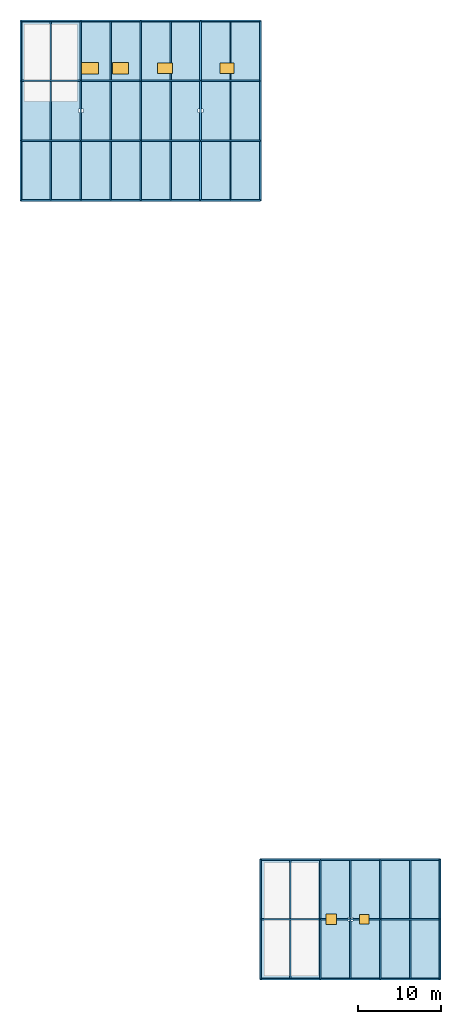
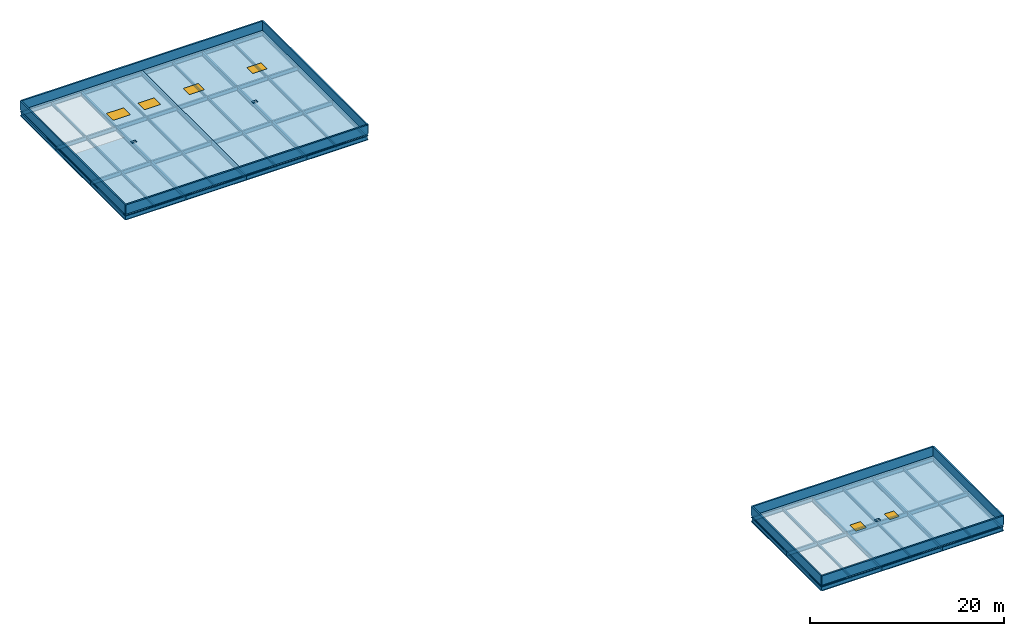
"""IFC4 building model written with IfcOpenShell, lengths in metres."""

from ifc_helpers import new_model, si_unit, direction, frame, frame_2d, origin, origin_2d, place, context, subcontext, project, spatial, polyline, rectangle, i_section, outline, extrude, material, layer, layer_set, material_profile, profile_set, type_object, element, fill, save


model = new_model("IFC4")

# Units and contexts
model_context = context("Model", 3, precision=1e-05, world=origin(), true_north=direction((0.0, 1.0)))
body_context = subcontext(model_context, "Body", "Model", "MODEL_VIEW")
ifc_project = project(units=[si_unit("LENGTHUNIT", "METRE"), si_unit("AREAUNIT", "SQUARE_METRE"), si_unit("VOLUMEUNIT", "CUBIC_METRE"), si_unit("PLANEANGLEUNIT", "RADIAN"), si_unit("MASSUNIT", "GRAM", prefix="KILO")], contexts=[model_context])

# Site, building, storey
site_placement = place(None, origin())
site = spatial("IfcSite", under=ifc_project, at=site_placement, CompositionType="ELEMENT")
building_placement = place(site_placement, origin())
building = spatial("IfcBuilding", under=site, at=building_placement, Name="Yarey Park Central Fire Station", CompositionType="ELEMENT")
storey_1_placement = place(building_placement, frame((0.0, 0.0, 26.39990234375)))
storey_1 = spatial("IfcBuildingStorey", under=building, at=storey_1_placement, Name="RF", CompositionType="ELEMENT", Elevation=26.39990234375)

# Beams
ifc_material_1 = material(Name="Steel ASTM A992 Gr. 50", Category="steel")
ifc_material_profile_1 = material_profile(ifc_material_1, i_section(OverallWidth=0.208984375, OverallDepth=0.532958984375, WebThickness=0.01025390625, FlangeThickness=0.015625, at=origin_2d()), Name="W530x92")
ifc_profile_set_1 = profile_set([ifc_material_profile_1], Name="Steel ASTM A992 Gr. 50")
beam_type_1 = type_object("IfcBeamType", Name="STR_BM_W530", PredefinedType="BEAM", material=ifc_profile_set_1)
for number, where, z_axis, x_axis, name in (
    (1, (144.0, 0.0, -0.476318359375), (1.0, 0.0, 0.0), (0.0, 1.0, 0.0), "BMX RF Y0 X1440"),
    (2, (151.199951171875, 0.0, -0.476318359375), (1.0, 0.0, 0.0), (0.0, 1.0, 0.0), "BMX RF Y0 X1512"),
):
    element("IfcBeam", number, at=place(storey_1_placement, frame(where, z_axis=z_axis, x_axis=x_axis)), inside=storey_1, type_object=beam_type_1, Name=name, PredefinedType="BEAM", context=body_context, shape_type="SweptSolid", body=[
        extrude(i_section(OverallWidth=0.208984375, OverallDepth=0.532958984375, WebThickness=0.01025390625, FlangeThickness=0.015625, at=origin_2d()), origin(), (0.0, 0.0, 1.0), 7.199951171875),
    ])
beam_1_placement = place(storey_1_placement, frame((158.39990234375, 0.0, -0.476318359375), z_axis=(1.0, 0.0, 0.0), x_axis=(0.0, 1.0, 0.0)))
element("IfcBeam", 3, at=beam_1_placement, inside=storey_1, type_object=beam_type_1, Name="BMX RF Y0 X1584", PredefinedType="BEAM", context=body_context, shape_type="SweptSolid", body=[
    extrude(i_section(OverallWidth=0.208984375, OverallDepth=0.532958984375, WebThickness=0.01025390625, FlangeThickness=0.015625, at=origin_2d()), origin(), (0.0, 0.0, 1.0), 7.2001953125),
])
for number, where, z_axis, x_axis, name in (
    (4, (144.0, 7.199951171875, -0.476318359375), (1.0, 0.0, 0.0), (0.0, 1.0, 0.0), "BMX RF Y72 X1440"),
    (5, (151.199951171875, 7.199951171875, -0.476318359375), (1.0, 0.0, 0.0), (0.0, 1.0, 0.0), "BMX RF Y72 X1512"),
):
    element("IfcBeam", number, at=place(storey_1_placement, frame(where, z_axis=z_axis, x_axis=x_axis)), inside=storey_1, type_object=beam_type_1, Name=name, PredefinedType="BEAM", context=body_context, shape_type="SweptSolid", body=[
        extrude(i_section(OverallWidth=0.208984375, OverallDepth=0.532958984375, WebThickness=0.01025390625, FlangeThickness=0.015625, at=origin_2d()), origin(), (0.0, 0.0, 1.0), 7.199951171875),
    ])
beam_2_placement = place(storey_1_placement, frame((158.39990234375, 7.199951171875, -0.476318359375), z_axis=(1.0, 0.0, 0.0), x_axis=(0.0, 1.0, 0.0)))
element("IfcBeam", 6, at=beam_2_placement, inside=storey_1, type_object=beam_type_1, Name="BMX RF Y72 X1584", PredefinedType="BEAM", context=body_context, shape_type="SweptSolid", body=[
    extrude(i_section(OverallWidth=0.208984375, OverallDepth=0.532958984375, WebThickness=0.01025390625, FlangeThickness=0.015625, at=origin_2d()), origin(), (0.0, 0.0, 1.0), 7.2001953125),
])
for number, where, z_axis, x_axis, name in (
    (7, (144.0, 14.39990234375, -0.476318359375), (1.0, 0.0, 0.0), (0.0, 1.0, 0.0), "BMX RF Y144 X1440"),
    (8, (151.199951171875, 14.39990234375, -0.476318359375), (1.0, 0.0, 0.0), (0.0, 1.0, 0.0), "BMX RF Y144 X1512"),
):
    element("IfcBeam", number, at=place(storey_1_placement, frame(where, z_axis=z_axis, x_axis=x_axis)), inside=storey_1, type_object=beam_type_1, Name=name, PredefinedType="BEAM", context=body_context, shape_type="SweptSolid", body=[
        extrude(i_section(OverallWidth=0.208984375, OverallDepth=0.532958984375, WebThickness=0.01025390625, FlangeThickness=0.015625, at=origin_2d()), origin(), (0.0, 0.0, 1.0), 7.199951171875),
    ])
beam_3_placement = place(storey_1_placement, frame((158.39990234375, 14.39990234375, -0.476318359375), z_axis=(1.0, 0.0, 0.0), x_axis=(0.0, 1.0, 0.0)))
element("IfcBeam", 9, at=beam_3_placement, inside=storey_1, type_object=beam_type_1, Name="BMX RF Y144 X1584", PredefinedType="BEAM", context=body_context, shape_type="SweptSolid", body=[
    extrude(i_section(OverallWidth=0.208984375, OverallDepth=0.532958984375, WebThickness=0.01025390625, FlangeThickness=0.015625, at=origin_2d()), origin(), (0.0, 0.0, 1.0), 7.2001953125),
])
beam_4_placement = place(storey_1_placement, frame((115.199951171875, 93.60009765625, -0.476318359375), z_axis=(1.0, 0.0, 0.0), x_axis=(0.0, 1.0, 0.0)))
element("IfcBeam", 10, at=beam_4_placement, inside=storey_1, type_object=beam_type_1, Name="BMX RF Y936 X1152", PredefinedType="BEAM", context=body_context, shape_type="SweptSolid", body=[
    extrude(i_section(OverallWidth=0.208984375, OverallDepth=0.532958984375, WebThickness=0.01025390625, FlangeThickness=0.015625, at=origin_2d()), origin(), (0.0, 0.0, 1.0), 7.199951171875),
])
beam_5_placement = place(storey_1_placement, frame((122.39990234375, 93.60009765625, -0.476318359375), z_axis=(1.0, 0.0, 0.0), x_axis=(0.0, 1.0, 0.0)))
element("IfcBeam", 11, at=beam_5_placement, inside=storey_1, type_object=beam_type_1, Name="BMX RF Y936 X1224", PredefinedType="BEAM", context=body_context, shape_type="SweptSolid", body=[
    extrude(i_section(OverallWidth=0.208984375, OverallDepth=0.532958984375, WebThickness=0.01025390625, FlangeThickness=0.015625, at=origin_2d()), origin(), (0.0, 0.0, 1.0), 7.2001953125),
])
for number, where, z_axis, x_axis, name in (
    (12, (129.60009765625, 93.60009765625, -0.476318359375), (1.0, 0.0, 0.0), (0.0, 1.0, 0.0), "BMX RF Y936 X1296"),
    (13, (136.800048828125, 93.60009765625, -0.476318359375), (1.0, 0.0, 0.0), (0.0, 1.0, 0.0), "BMX RF Y936 X1368"),
    (14, (115.199951171875, 100.800048828125, -0.476318359375), (1.0, 0.0, 0.0), (0.0, 1.0, 0.0), "BMX RF Y1008 X1152"),
):
    element("IfcBeam", number, at=place(storey_1_placement, frame(where, z_axis=z_axis, x_axis=x_axis)), inside=storey_1, type_object=beam_type_1, Name=name, PredefinedType="BEAM", context=body_context, shape_type="SweptSolid", body=[
        extrude(i_section(OverallWidth=0.208984375, OverallDepth=0.532958984375, WebThickness=0.01025390625, FlangeThickness=0.015625, at=origin_2d()), origin(), (0.0, 0.0, 1.0), 7.199951171875),
    ])
beam_6_placement = place(storey_1_placement, frame((122.39990234375, 100.800048828125, -0.476318359375), z_axis=(1.0, 0.0, 0.0), x_axis=(0.0, 1.0, 0.0)))
element("IfcBeam", 15, at=beam_6_placement, inside=storey_1, type_object=beam_type_1, Name="BMX RF Y1008 X1224", PredefinedType="BEAM", context=body_context, shape_type="SweptSolid", body=[
    extrude(i_section(OverallWidth=0.208984375, OverallDepth=0.532958984375, WebThickness=0.01025390625, FlangeThickness=0.015625, at=origin_2d()), origin(), (0.0, 0.0, 1.0), 7.2001953125),
])
for number, where, z_axis, x_axis, name in (
    (16, (129.60009765625, 100.800048828125, -0.476318359375), (1.0, 0.0, 0.0), (0.0, 1.0, 0.0), "BMX RF Y1008 X1296"),
    (17, (136.800048828125, 100.800048828125, -0.476318359375), (1.0, 0.0, 0.0), (0.0, 1.0, 0.0), "BMX RF Y1008 X1368"),
    (18, (115.199951171875, 108.0, -0.476318359375), (1.0, 0.0, 0.0), (0.0, 1.0, 0.0), "BMX RF Y1080 X1152"),
):
    element("IfcBeam", number, at=place(storey_1_placement, frame(where, z_axis=z_axis, x_axis=x_axis)), inside=storey_1, type_object=beam_type_1, Name=name, PredefinedType="BEAM", context=body_context, shape_type="SweptSolid", body=[
        extrude(i_section(OverallWidth=0.208984375, OverallDepth=0.532958984375, WebThickness=0.01025390625, FlangeThickness=0.015625, at=origin_2d()), origin(), (0.0, 0.0, 1.0), 7.199951171875),
    ])
beam_7_placement = place(storey_1_placement, frame((122.39990234375, 108.0, -0.476318359375), z_axis=(1.0, 0.0, 0.0), x_axis=(0.0, 1.0, 0.0)))
element("IfcBeam", 19, at=beam_7_placement, inside=storey_1, type_object=beam_type_1, Name="BMX RF Y1080 X1224", PredefinedType="BEAM", context=body_context, shape_type="SweptSolid", body=[
    extrude(i_section(OverallWidth=0.208984375, OverallDepth=0.532958984375, WebThickness=0.01025390625, FlangeThickness=0.015625, at=origin_2d()), origin(), (0.0, 0.0, 1.0), 7.2001953125),
])
for number, where, z_axis, x_axis, name in (
    (20, (129.60009765625, 108.0, -0.476318359375), (1.0, 0.0, 0.0), (0.0, 1.0, 0.0), "BMX RF Y1080 X1296"),
    (21, (136.800048828125, 108.0, -0.476318359375), (1.0, 0.0, 0.0), (0.0, 1.0, 0.0), "BMX RF Y1080 X1368"),
    (22, (115.199951171875, 115.199951171875, -0.476318359375), (1.0, 0.0, 0.0), (0.0, 1.0, 0.0), "BMX RF Y1152 X1152"),
):
    element("IfcBeam", number, at=place(storey_1_placement, frame(where, z_axis=z_axis, x_axis=x_axis)), inside=storey_1, type_object=beam_type_1, Name=name, PredefinedType="BEAM", context=body_context, shape_type="SweptSolid", body=[
        extrude(i_section(OverallWidth=0.208984375, OverallDepth=0.532958984375, WebThickness=0.01025390625, FlangeThickness=0.015625, at=origin_2d()), origin(), (0.0, 0.0, 1.0), 7.199951171875),
    ])
beam_8_placement = place(storey_1_placement, frame((122.39990234375, 115.199951171875, -0.476318359375), z_axis=(1.0, 0.0, 0.0), x_axis=(0.0, 1.0, 0.0)))
element("IfcBeam", 23, at=beam_8_placement, inside=storey_1, type_object=beam_type_1, Name="BMX RF Y1152 X1224", PredefinedType="BEAM", context=body_context, shape_type="SweptSolid", body=[
    extrude(i_section(OverallWidth=0.208984375, OverallDepth=0.532958984375, WebThickness=0.01025390625, FlangeThickness=0.015625, at=origin_2d()), origin(), (0.0, 0.0, 1.0), 7.2001953125),
])
for number, where, z_axis, x_axis, name in (
    (24, (129.60009765625, 115.199951171875, -0.476318359375), (1.0, 0.0, 0.0), (0.0, 1.0, 0.0), "BMX RF Y1152 X1296"),
    (25, (136.800048828125, 115.199951171875, -0.476318359375), (1.0, 0.0, 0.0), (0.0, 1.0, 0.0), "BMX RF Y1152 X1368"),
    (26, (115.199951171875, 93.60009765625, -0.476318359375), (0.0, 1.0, 0.0), (-1.0, 0.0, 0.0), "BMY RF X1152 Y936"),
    (27, (115.199951171875, 100.800048828125, -0.476318359375), (0.0, 1.0, 0.0), (-1.0, 0.0, 0.0), "BMY RF X1152 Y1008"),
    (28, (115.199951171875, 108.0, -0.476318359375), (0.0, 1.0, 0.0), (-1.0, 0.0, 0.0), "BMY RF X1152 Y1080"),
    (29, (122.39990234375, 93.60009765625, -0.476318359375), (0.0, 1.0, 0.0), (-1.0, 0.0, 0.0), "BMY RF X1224 Y936"),
    (30, (122.39990234375, 100.800048828125, -0.476318359375), (0.0, 1.0, 0.0), (-1.0, 0.0, 0.0), "BMY RF X1224 Y1008"),
    (31, (122.39990234375, 108.0, -0.476318359375), (0.0, 1.0, 0.0), (-1.0, 0.0, 0.0), "BMY RF X1224 Y1080"),
    (32, (129.60009765625, 93.60009765625, -0.476318359375), (0.0, 1.0, 0.0), (-1.0, 0.0, 0.0), "BMY RF X1296 Y936"),
    (33, (129.60009765625, 100.800048828125, -0.476318359375), (0.0, 1.0, 0.0), (-1.0, 0.0, 0.0), "BMY RF X1296 Y1008"),
    (34, (129.60009765625, 108.0, -0.476318359375), (0.0, 1.0, 0.0), (-1.0, 0.0, 0.0), "BMY RF X1296 Y1080"),
    (35, (136.800048828125, 93.60009765625, -0.476318359375), (0.0, 1.0, 0.0), (-1.0, 0.0, 0.0), "BMY RF X1368 Y936"),
    (36, (136.800048828125, 100.800048828125, -0.476318359375), (0.0, 1.0, 0.0), (-1.0, 0.0, 0.0), "BMY RF X1368 Y1008"),
    (37, (136.800048828125, 108.0, -0.476318359375), (0.0, 1.0, 0.0), (-1.0, 0.0, 0.0), "BMY RF X1368 Y1080"),
    (38, (144.0, 0.0, -0.476318359375), (0.0, 1.0, 0.0), (-1.0, 0.0, 0.0), "BMY RF X1440 Y0"),
    (39, (144.0, 7.199951171875, -0.476318359375), (0.0, 1.0, 0.0), (-1.0, 0.0, 0.0), "BMY RF X1440 Y72"),
    (40, (144.0, 93.60009765625, -0.476318359375), (0.0, 1.0, 0.0), (-1.0, 0.0, 0.0), "BMY RF X1440 Y936"),
    (41, (144.0, 100.800048828125, -0.476318359375), (0.0, 1.0, 0.0), (-1.0, 0.0, 0.0), "BMY RF X1440 Y1008"),
    (42, (144.0, 108.0, -0.476318359375), (0.0, 1.0, 0.0), (-1.0, 0.0, 0.0), "BMY RF X1440 Y1080"),
    (43, (151.199951171875, 0.0, -0.476318359375), (0.0, 1.0, 0.0), (-1.0, 0.0, 0.0), "BMY RF X1512 Y0"),
    (44, (151.199951171875, 7.199951171875, -0.476318359375), (0.0, 1.0, 0.0), (-1.0, 0.0, 0.0), "BMY RF X1512 Y72"),
    (45, (158.39990234375, 0.0, -0.476318359375), (0.0, 1.0, 0.0), (-1.0, 0.0, 0.0), "BMY RF X1584 Y0"),
    (46, (158.39990234375, 7.199951171875, -0.476318359375), (0.0, 1.0, 0.0), (-1.0, 0.0, 0.0), "BMY RF X1584 Y72"),
    (47, (165.60009765625, 0.0, -0.476318359375), (0.0, 1.0, 0.0), (-1.0, 0.0, 0.0), "BMY RF X1656 Y0"),
    (48, (165.60009765625, 7.199951171875, -0.476318359375), (0.0, 1.0, 0.0), (-1.0, 0.0, 0.0), "BMY RF X1656 Y72"),
):
    element("IfcBeam", number, at=place(storey_1_placement, frame(where, z_axis=z_axis, x_axis=x_axis)), inside=storey_1, type_object=beam_type_1, Name=name, PredefinedType="BEAM", context=body_context, shape_type="SweptSolid", body=[
        extrude(i_section(OverallWidth=0.208984375, OverallDepth=0.532958984375, WebThickness=0.01025390625, FlangeThickness=0.015625, at=origin_2d()), origin(), (0.0, 0.0, 1.0), 7.199951171875),
    ])
ifc_material_profile_2 = material_profile(ifc_material_1, i_section(OverallWidth=0.172119140625, OverallDepth=0.35791015625, WebThickness=0.0078125, FlangeThickness=0.01318359375, at=origin_2d()), Name="W360x57")
ifc_profile_set_2 = profile_set([ifc_material_profile_2], Name="Steel ASTM A992 Gr. 50")
beam_type_2 = type_object("IfcBeamType", Name="STR_JST_W360", PredefinedType="JOIST", material=ifc_profile_set_2)
for number, where, z_axis, x_axis, name in (
    (49, (118.800048828125, 93.695068359375, -0.388916015625), (0.0, 1.0, 0.0), (-1.0, 0.0, 0.0), "JST RF X1188 Y936"),
    (50, (118.800048828125, 100.89501953125, -0.388916015625), (0.0, 1.0, 0.0), (-1.0, 0.0, 0.0), "JST RF X1188 Y1008"),
    (51, (118.800048828125, 108.094970703125, -0.388916015625), (0.0, 1.0, 0.0), (-1.0, 0.0, 0.0), "JST RF X1188 Y1080"),
    (52, (126.0, 93.695068359375, -0.388916015625), (0.0, 1.0, 0.0), (-1.0, 0.0, 0.0), "JST RF X1260 Y936"),
    (53, (126.0, 100.89501953125, -0.388916015625), (0.0, 1.0, 0.0), (-1.0, 0.0, 0.0), "JST RF X1260 Y1008"),
    (54, (126.0, 108.094970703125, -0.388916015625), (0.0, 1.0, 0.0), (-1.0, 0.0, 0.0), "JST RF X1260 Y1080"),
    (55, (133.199951171875, 93.695068359375, -0.388916015625), (0.0, 1.0, 0.0), (-1.0, 0.0, 0.0), "JST RF X1332 Y936"),
    (56, (133.199951171875, 100.89501953125, -0.388916015625), (0.0, 1.0, 0.0), (-1.0, 0.0, 0.0), "JST RF X1332 Y1008"),
    (57, (133.199951171875, 108.094970703125, -0.388916015625), (0.0, 1.0, 0.0), (-1.0, 0.0, 0.0), "JST RF X1332 Y1080"),
    (58, (140.39990234375, 93.695068359375, -0.388916015625), (0.0, 1.0, 0.0), (-1.0, 0.0, 0.0), "JST RF X1404 Y936"),
    (59, (140.39990234375, 100.89501953125, -0.388916015625), (0.0, 1.0, 0.0), (-1.0, 0.0, 0.0), "JST RF X1404 Y1008"),
    (60, (140.39990234375, 108.094970703125, -0.388916015625), (0.0, 1.0, 0.0), (-1.0, 0.0, 0.0), "JST RF X1404 Y1080"),
    (61, (147.60009765625, 0.094970703125, -0.388916015625), (0.0, 1.0, 0.0), (-1.0, 0.0, 0.0), "JST RF X1476 Y0"),
    (62, (147.60009765625, 7.294921875, -0.388916015625), (0.0, 1.0, 0.0), (-1.0, 0.0, 0.0), "JST RF X1476 Y72"),
    (63, (154.800048828125, 0.094970703125, -0.388916015625), (0.0, 1.0, 0.0), (-1.0, 0.0, 0.0), "JST RF X1548 Y0"),
    (64, (154.800048828125, 7.294921875, -0.388916015625), (0.0, 1.0, 0.0), (-1.0, 0.0, 0.0), "JST RF X1548 Y72"),
    (65, (162.0, 0.094970703125, -0.388916015625), (0.0, 1.0, 0.0), (-1.0, 0.0, 0.0), "JST RF X1620 Y0"),
    (66, (162.0, 7.294921875, -0.388916015625), (0.0, 1.0, 0.0), (-1.0, 0.0, 0.0), "JST RF X1620 Y72"),
):
    element("IfcBeam", number, at=place(storey_1_placement, frame(where, z_axis=z_axis, x_axis=x_axis)), inside=storey_1, type_object=beam_type_2, Name=name, PredefinedType="JOIST", context=body_context, shape_type="SweptSolid", body=[
        extrude(i_section(OverallWidth=0.172119140625, OverallDepth=0.35791015625, WebThickness=0.0078125, FlangeThickness=0.01318359375, at=origin_2d()), origin(), (0.0, 0.0, 1.0), 7.010009765625),
    ])

# Slab, openings
ifc_material_2 = material(Name="Concrete C40/50", Category="concrete")
ifc_layer_1 = layer(ifc_material_2, 0.2099609375)
ifc_layer_set_1 = layer_set([ifc_layer_1], Name="Concrete C40/50")
slab_type = type_object("IfcSlabType", Name="STR_ROOF_FLAT210", PredefinedType="ROOF", material=ifc_layer_set_1)
slab_1_placement = place(storey_1_placement, frame((0.0, 0.0, -0.2099609375)))
slab_1 = element("IfcSlab", 67, at=slab_1_placement, inside=storey_1, type_object=slab_type, Name="ROOF_RF_V4_1", PredefinedType="ROOF", context=body_context, shape_type="SweptSolid", body=[
    extrude(outline(polyline([(115.199951171875, 93.60009765625), (129.60009765625, 93.60009765625), (129.60009765625, 115.199951171875), (115.199951171875, 115.199951171875), (115.199951171875, 93.60009765625)]), holes=[polyline([(122.10009765625, 104.199951171875), (122.699951171875, 104.199951171875), (122.699951171875, 104.60009765625), (122.10009765625, 104.60009765625), (122.10009765625, 104.199951171875)])]), origin(), (0.0, 0.0, 1.0), 0.2099609375),
])
opening_1_placement = place(slab_1_placement, frame((123.5, 109.5, -0.010009765625)))
opening_1 = element("IfcOpeningElement", 68, at=opening_1_placement, cuts=slab_1, Name="Opening SK-04", PredefinedType="OPENING", context=body_context, shape_type="SweptSolid", body=[
    extrude(rectangle(XDim=2.0400390625, YDim=1.39990234375, at=origin_2d()), origin(), (0.0, 0.0, 1.0), 0.22998046875),
])
opening_2_placement = place(slab_1_placement, frame((127.199951171875, 109.5, -0.010009765625)))
opening_2 = element("IfcOpeningElement", 69, at=opening_2_placement, cuts=slab_1, Name="Opening SK-05", PredefinedType="OPENING", context=body_context, shape_type="SweptSolid", body=[
    extrude(rectangle(XDim=1.919921875, YDim=1.340087890625, at=origin_2d()), origin(), (0.0, 0.0, 1.0), 0.22998046875),
])

# Storey
storey_2_placement = place(building_placement, frame((0.0, 0.0, 22.199951171875)))
storey_2 = spatial("IfcBuildingStorey", under=building, at=storey_2_placement, Name="L06", CompositionType="ELEMENT", Elevation=22.199951171875)

# Window
ifc_material_3 = material(Name="Laminated Hurricane Low-E Glass", Category="glass")
window_type_1 = type_object("IfcWindowType", Name="ENV_SKY_04", PartitioningType="SINGLE_PANEL", PredefinedType="SKYLIGHT", material=ifc_material_3)
window_1_placement = place(slab_1_placement, frame((123.5, 109.5, 0.159912109375)))
window_1 = element("IfcWindow", 70, at=window_1_placement, inside=storey_2, type_object=window_type_1, Name="SKY_RF_V4_1", OverallHeight=1.39990234375, OverallWidth=2.0400390625, PartitioningType="SINGLE_PANEL", PredefinedType="SKYLIGHT", context=body_context, shape_type="SweptSolid", body=[
    extrude(rectangle(XDim=2.0400390625, YDim=1.39990234375, at=origin_2d()), origin(), (0.0, 0.0, 1.0), 0.050048828125),
])

fill(opening_1, window_1)

window_type_2 = type_object("IfcWindowType", Name="ENV_SKY_05", PartitioningType="SINGLE_PANEL", PredefinedType="SKYLIGHT", material=ifc_material_3)
window_2_placement = place(slab_1_placement, frame((127.199951171875, 109.5, 0.159912109375)))
window_2 = element("IfcWindow", 71, at=window_2_placement, inside=storey_2, type_object=window_type_2, Name="SKY_RF_V4_2", OverallHeight=1.340087890625, OverallWidth=1.919921875, PartitioningType="SINGLE_PANEL", PredefinedType="SKYLIGHT", context=body_context, shape_type="SweptSolid", body=[
    extrude(rectangle(XDim=1.919921875, YDim=1.340087890625, at=origin_2d()), origin(), (0.0, 0.0, 1.0), 0.050048828125),
])

fill(opening_2, window_2)

# Slab, openings, windows
slab_2_placement = place(storey_1_placement, frame((0.0, 0.0, -0.2099609375)))
slab_2 = element("IfcSlab", 72, at=slab_2_placement, inside=storey_1, type_object=slab_type, Name="ROOF_RF_V4_2", PredefinedType="ROOF", context=body_context, shape_type="SweptSolid", body=[
    extrude(outline(polyline([(129.60009765625, 93.60009765625), (144.0, 93.60009765625), (144.0, 115.199951171875), (129.60009765625, 115.199951171875), (129.60009765625, 93.60009765625)]), holes=[polyline([(136.5, 104.199951171875), (137.10009765625, 104.199951171875), (137.10009765625, 104.60009765625), (136.5, 104.60009765625), (136.5, 104.199951171875)])]), origin(), (0.0, 0.0, 1.0), 0.2099609375),
])
opening_3_placement = place(slab_2_placement, frame((132.5, 109.5, -0.010009765625)))
opening_3 = element("IfcOpeningElement", 73, at=opening_3_placement, cuts=slab_2, Name="Opening SK-06", PredefinedType="OPENING", context=body_context, shape_type="SweptSolid", body=[
    extrude(rectangle(XDim=1.800048828125, YDim=1.280029296875, at=origin_2d()), origin(), (0.0, 0.0, 1.0), 0.22998046875),
])
opening_4_placement = place(slab_2_placement, frame((140.0, 109.5, -0.010009765625)))
opening_4 = element("IfcOpeningElement", 74, at=opening_4_placement, cuts=slab_2, Name="Opening SK-07", PredefinedType="OPENING", context=body_context, shape_type="SweptSolid", body=[
    extrude(rectangle(XDim=1.679931640625, YDim=1.219970703125, at=origin_2d()), origin(), (0.0, 0.0, 1.0), 0.22998046875),
])
window_type_3 = type_object("IfcWindowType", Name="ENV_SKY_06", PartitioningType="SINGLE_PANEL", PredefinedType="SKYLIGHT", material=ifc_material_3)
window_3_placement = place(slab_2_placement, frame((132.5, 109.5, 0.159912109375)))
window_3 = element("IfcWindow", 75, at=window_3_placement, inside=storey_2, type_object=window_type_3, Name="SKY_RF_V4_3", OverallHeight=1.280029296875, OverallWidth=1.800048828125, PartitioningType="SINGLE_PANEL", PredefinedType="SKYLIGHT", context=body_context, shape_type="SweptSolid", body=[
    extrude(rectangle(XDim=1.800048828125, YDim=1.280029296875, at=origin_2d()), origin(), (0.0, 0.0, 1.0), 0.050048828125),
])
fill(opening_3, window_3)
window_type_4 = type_object("IfcWindowType", Name="ENV_SKY_07", PartitioningType="SINGLE_PANEL", PredefinedType="SKYLIGHT", material=ifc_material_3)
window_4_placement = place(slab_2_placement, frame((140.0, 109.5, 0.159912109375)))
window_4 = element("IfcWindow", 76, at=window_4_placement, inside=storey_2, type_object=window_type_4, Name="SKY_RF_V4_4", OverallHeight=1.219970703125, OverallWidth=1.679931640625, PartitioningType="SINGLE_PANEL", PredefinedType="SKYLIGHT", context=body_context, shape_type="SweptSolid", body=[
    extrude(rectangle(XDim=1.679931640625, YDim=1.219970703125, at=origin_2d()), origin(), (0.0, 0.0, 1.0), 0.050048828125),
])
fill(opening_4, window_4)

slab_3_placement = place(storey_1_placement, frame((0.0, 0.0, -0.2099609375)))
slab_3 = element("IfcSlab", 77, at=slab_3_placement, inside=storey_1, type_object=slab_type, Name="ROOF_RF_V6_TOWER", PredefinedType="ROOF", context=body_context, shape_type="SweptSolid", body=[
    extrude(outline(polyline([(144.0, 0.0), (165.60009765625, 0.0), (165.60009765625, 14.39990234375), (144.0, 14.39990234375), (144.0, 0.0)]), holes=[polyline([(154.5, 7.0), (155.10009765625, 7.0), (155.10009765625, 7.39990234375), (154.5, 7.39990234375), (154.5, 7.0)])]), origin(), (0.0, 0.0, 1.0), 0.2099609375),
])
opening_5_placement = place(slab_3_placement, frame((152.5, 7.199951171875, -0.010009765625)))
opening_5 = element("IfcOpeningElement", 78, at=opening_5_placement, cuts=slab_3, Name="Opening SK-11", PredefinedType="OPENING", context=body_context, shape_type="SweptSolid", body=[
    extrude(rectangle(XDim=1.239990234375, YDim=1.239990234375, at=origin_2d()), origin(), (0.0, 0.0, 1.0), 0.22998046875),
])
opening_6_placement = place(slab_3_placement, frame((156.5, 7.199951171875, -0.010009765625)))
opening_6 = element("IfcOpeningElement", 79, at=opening_6_placement, cuts=slab_3, Name="Opening SK-12", PredefinedType="OPENING", context=body_context, shape_type="SweptSolid", body=[
    extrude(rectangle(XDim=1.139892578125, YDim=1.139892578125, at=origin_2d()), origin(), (0.0, 0.0, 1.0), 0.22998046875),
])
ifc_material_4 = material(Name="Galvanized Hollow Metal Door", Category="metal")
window_type_5 = type_object("IfcWindowType", Name="ENV_SKY_11", PartitioningType="SINGLE_PANEL", PredefinedType="SKYLIGHT", material=ifc_material_4)
window_5_placement = place(slab_3_placement, frame((152.5, 7.199951171875, 0.159912109375)))
window_5 = element("IfcWindow", 80, at=window_5_placement, inside=storey_2, type_object=window_type_5, Name="SKY_RF_DT_1", OverallHeight=1.239990234375, OverallWidth=1.239990234375, PartitioningType="SINGLE_PANEL", PredefinedType="SKYLIGHT", context=body_context, shape_type="SweptSolid", body=[
    extrude(rectangle(XDim=1.239990234375, YDim=1.239990234375, at=origin_2d()), origin(), (0.0, 0.0, 1.0), 0.050048828125),
])
fill(opening_5, window_5)
window_type_6 = type_object("IfcWindowType", Name="ENV_SKY_12", PartitioningType="SINGLE_PANEL", PredefinedType="SKYLIGHT", material=ifc_material_4)
window_6_placement = place(slab_3_placement, frame((156.5, 7.199951171875, 0.159912109375)))
window_6 = element("IfcWindow", 81, at=window_6_placement, inside=storey_2, type_object=window_type_6, Name="SKY_RF_DT_2", OverallHeight=1.139892578125, OverallWidth=1.139892578125, PartitioningType="SINGLE_PANEL", PredefinedType="SKYLIGHT", context=body_context, shape_type="SweptSolid", body=[
    extrude(rectangle(XDim=1.139892578125, YDim=1.139892578125, at=origin_2d()), origin(), (0.0, 0.0, 1.0), 0.050048828125),
])
fill(opening_6, window_6)

# Walls
ifc_material_5 = material(Name="Concrete C35/45", Category="concrete")
ifc_layer_2 = layer(ifc_material_5, 0.1650390625)
ifc_layer_set_2 = layer_set([ifc_layer_2], Name="Concrete C35/45")
wall_type_1 = type_object("IfcWallType", Name="ENV_WALL_PAR165", PredefinedType="PARAPET", material=ifc_layer_set_2)
for number, where, z_axis, x_axis, name in (
    (82, (144.0, 93.60009765625, 0.0), (0.0, 0.0, 1.0), (0.0, 1.0, 0.0), "PAR_RF_34"),
    (83, (115.199951171875, 115.199951171875, 0.0), (0.0, 0.0, 1.0), (0.0, -1.0, 0.0), "PAR_RF_36"),
):
    element("IfcWall", number, at=place(storey_1_placement, frame(where, z_axis=z_axis, x_axis=x_axis)), inside=storey_1, type_object=wall_type_1, Name=name, PredefinedType="PARAPET", context=body_context, shape_type="SweptSolid", body=[
        extrude(rectangle(XDim=21.599853515625, YDim=0.1650390625, at=frame_2d((10.7998046875, 0.0))), origin(), (0.0, 0.0, 1.0), 1.150146484375),
    ])
for number, where, z_axis, x_axis, name in (
    (84, (165.60009765625, 0.0, 0.0), (0.0, 0.0, 1.0), (0.0, 1.0, 0.0), "PAR_RF_38"),
    (85, (144.0, 14.39990234375, 0.0), (0.0, 0.0, 1.0), (0.0, -1.0, 0.0), "PAR_RF_40"),
):
    element("IfcWall", number, at=place(storey_1_placement, frame(where, z_axis=z_axis, x_axis=x_axis)), inside=storey_1, type_object=wall_type_1, Name=name, PredefinedType="PARAPET", context=body_context, shape_type="SweptSolid", body=[
        extrude(rectangle(XDim=14.39990234375, YDim=0.1650390625, at=frame_2d((7.199951171875, 0.0))), origin(), (0.0, 0.0, 1.0), 1.150146484375),
    ])
ifc_layer_3 = layer(ifc_material_5, 0.18505859375)
ifc_layer_set_3 = layer_set([ifc_layer_3], Name="Concrete C35/45")
wall_type_2 = type_object("IfcWallType", Name="ENV_WALL_PAR185", PredefinedType="PARAPET", material=ifc_layer_set_3)
for number, where, z_axis, x_axis, name in (
    (86, (115.199951171875, 93.60009765625, 0.0), (0.0, 0.0, 1.0), (1.0, 0.0, 0.0), "PAR_RF_33"),
    (87, (144.0, 115.199951171875, 0.0), (0.0, 0.0, 1.0), (-1.0, 0.0, 0.0), "PAR_RF_35"),
):
    element("IfcWall", number, at=place(storey_1_placement, frame(where, z_axis=z_axis, x_axis=x_axis)), inside=storey_1, type_object=wall_type_2, Name=name, PredefinedType="PARAPET", context=body_context, shape_type="SweptSolid", body=[
        extrude(rectangle(XDim=28.800048828125, YDim=0.18505859375, at=frame_2d((14.39990234375, 0.0))), origin(), (0.0, 0.0, 1.0), 1.150146484375),
    ])
for number, where, z_axis, x_axis, name in (
    (88, (144.0, 0.0, 0.0), (0.0, 0.0, 1.0), (1.0, 0.0, 0.0), "PAR_RF_37"),
    (89, (165.60009765625, 14.39990234375, 0.0), (0.0, 0.0, 1.0), (-1.0, 0.0, 0.0), "PAR_RF_39"),
):
    element("IfcWall", number, at=place(storey_1_placement, frame(where, z_axis=z_axis, x_axis=x_axis)), inside=storey_1, type_object=wall_type_2, Name=name, PredefinedType="PARAPET", context=body_context, shape_type="SweptSolid", body=[
        extrude(rectangle(XDim=21.60009765625, YDim=0.18505859375, at=frame_2d((10.800048828125, 0.0))), origin(), (0.0, 0.0, 1.0), 1.150146484375),
    ])

save(model, "model.ifc")
